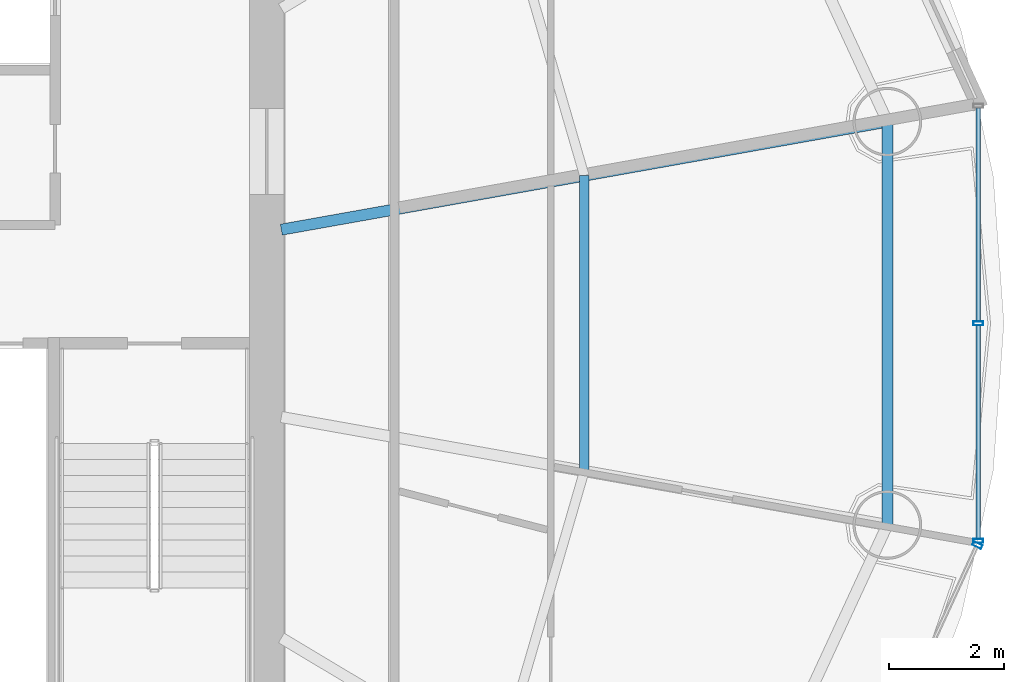
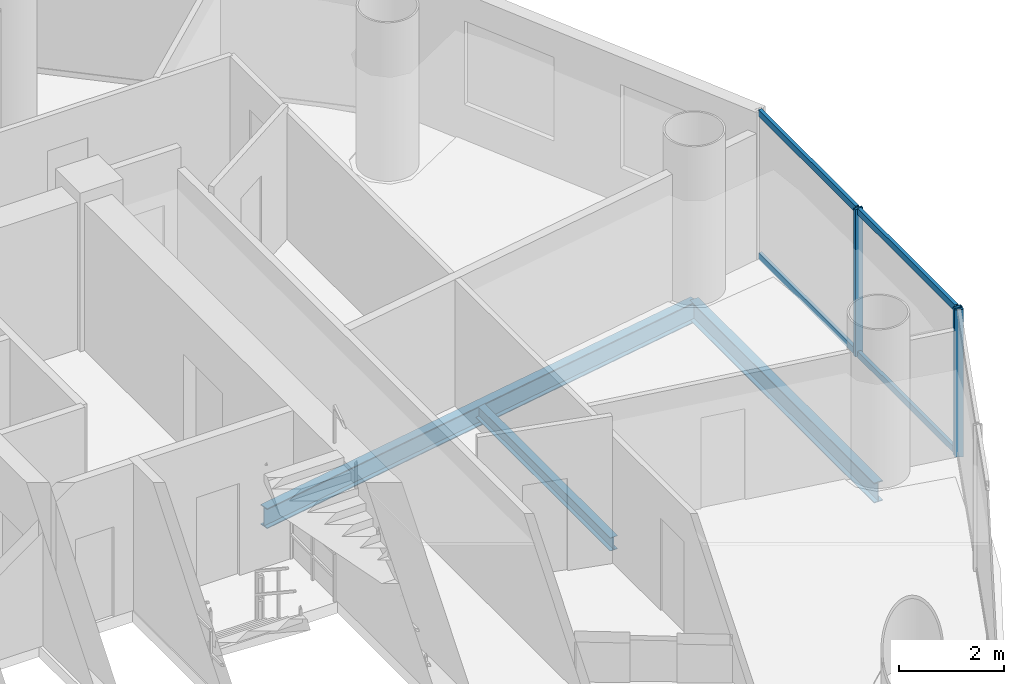
# One storey, part 12 of 27: 7 members, 3 beams, 2 elements without a shape of their own.
"""IFC4 building model written with IfcOpenShell, lengths in metres."""

from ifc_helpers import new_model, si_unit, direction, frame, origin, origin_2d, place, context, subcontext, project, spatial, hollow_rectangle, i_section, extrude, source, transform, mapped, material, material_profile, profile_set, type_object, element, aggregate, save


model = new_model("IFC4")

# Units and contexts
model_context = context("Model", 3, precision=1e-05, world=origin(), true_north=direction((-0.2419218956, 0.970295726276)))
body_context = subcontext(model_context, "Body", "Model", "MODEL_VIEW")
ifc_project = project(units=[si_unit("LENGTHUNIT", "METRE"), si_unit("AREAUNIT", "SQUARE_METRE"), si_unit("VOLUMEUNIT", "CUBIC_METRE"), si_unit("PLANEANGLEUNIT", "RADIAN"), si_unit("MASSUNIT", "GRAM", prefix="KILO")], contexts=[model_context])

# Site, building, storey
site_placement = place(None, origin())
site = spatial("IfcSite", under=ifc_project, at=site_placement, CompositionType="ELEMENT")
building_placement = place(site_placement, origin())
building = spatial("IfcBuilding", under=site, at=building_placement, Name="Cobrevalo Terracotta Tower", CompositionType="ELEMENT")
storey_placement = place(building_placement, frame((0.0, 0.0, 198.60009765625)))
storey = spatial("IfcBuildingStorey", under=building, at=storey_placement, Name="L52", CompositionType="ELEMENT", Elevation=198.60009765625)

# Beams
ifc_material_1 = material(Name="Steel S355", Category="steel")
ifc_material_profile_1 = material_profile(ifc_material_1, i_section(OverallWidth=0.194091796875, OverallDepth=0.468994140625, WebThickness=0.011474609375, FlangeThickness=0.0205078125, at=origin_2d()), Name="W 460x106")
ifc_profile_set_1 = profile_set([ifc_material_profile_1], Name="Steel S355")
beam_type_1 = type_object("IfcBeamType", Name="Structural Beam W 460x106 (Steel S355)", PredefinedType="BEAM", material=ifc_profile_set_1)
beam_1_placement = place(storey_placement, frame((57.762939453125, 30.3212890625, -0.49951171875), z_axis=(-0.98449712063, -0.175400739656, 0.0), x_axis=(0.175400739656, -0.98449712063, 0.0)))
element("IfcBeam", 1, at=beam_1_placement, inside=storey, type_object=beam_type_1, Name="L52 radial floor girder 01", PredefinedType="BEAM", context=body_context, shape_type="SweptSolid", body=[
    extrude(i_section(OverallWidth=0.194091796875, OverallDepth=0.468994140625, WebThickness=0.011474609375, FlangeThickness=0.0205078125, at=origin_2d()), origin(), (0.0, 0.0, 1.0), 10.749755859375),
])
ifc_material_profile_2 = material_profile(ifc_material_1, i_section(OverallWidth=0.1650390625, OverallDepth=0.31005859375, WebThickness=0.005859375, FlangeThickness=0.009765625, at=origin_2d()), Name="W 310x38.7")
ifc_profile_set_2 = profile_set([ifc_material_profile_2], Name="Steel S355")
beam_type_2 = type_object("IfcBeamType", Name="Structural Joist W 310x38.7 (Steel S355)", PredefinedType="JOIST", material=ifc_profile_set_2)
beam_2_placement = place(storey_placement, frame((52.471435546875, 24.221435546875, -0.420166015625), z_axis=(0.0, 1.0, 0.0), x_axis=(-1.0, 0.0, 0.0)))
element("IfcBeam", 2, at=beam_2_placement, inside=storey, type_object=beam_type_2, Name="L52 circumferential secondary floor joist 16", PredefinedType="JOIST", context=body_context, shape_type="SweptSolid", body=[
    extrude(i_section(OverallWidth=0.1650390625, OverallDepth=0.31005859375, WebThickness=0.005859375, FlangeThickness=0.009765625, at=origin_2d()), origin(), (0.0, 0.0, 1.0), 5.1572265625),
])
ifc_material_profile_3 = material_profile(ifc_material_1, i_section(OverallWidth=0.194091796875, OverallDepth=0.468994140625, WebThickness=0.011474609375, FlangeThickness=0.0205078125, at=origin_2d()), Name="W 460x106")
ifc_profile_set_3 = profile_set([ifc_material_profile_3], Name="Steel S355")
beam_type_3 = type_object("IfcBeamType", Name="Structural Spandrel W 460x106 (Steel S355)", PredefinedType="SPANDREL", material=ifc_profile_set_3)
beam_3_placement = place(storey_placement, frame((57.762939453125, 23.278564453125, -0.49951171875), z_axis=(0.0, 1.0, 0.0), x_axis=(-1.0, 0.0, 0.0)))
element("IfcBeam", 3, at=beam_3_placement, inside=storey, type_object=beam_type_3, Name="L52 perimeter ring spandrel 16", PredefinedType="SPANDREL", context=body_context, shape_type="SweptSolid", body=[
    extrude(i_section(OverallWidth=0.194091796875, OverallDepth=0.468994140625, WebThickness=0.011474609375, FlangeThickness=0.0205078125, at=origin_2d()), origin(), (0.0, 0.0, 1.0), 7.042724609375),
])

# Curtain wall, members
ifc_material_2 = material(Name="Anodized aluminium", Category="aluminium")
curtain_wall_type = type_object("IfcCurtainWallType", Name="Mid-tower high-wind unitised curtain wall CW-U2", PredefinedType="NOTDEFINED", material=ifc_material_2)
curtain_wall_1_placement = place(storey_placement, origin())
curtain_wall_1 = element("IfcCurtainWall", 4, at=curtain_wall_1_placement, inside=storey, type_object=curtain_wall_type, Name="L52 curtain wall CW-L52-S16", PredefinedType="NOTDEFINED")
ifc_material_profile_4 = material_profile(ifc_material_2, hollow_rectangle(XDim=0.074951171875, YDim=0.14990234375, WallThickness=0.00439453125, at=origin_2d()), Name="CWT 75x150")
ifc_profile_set_4 = profile_set([ifc_material_profile_4], Name="Anodized aluminium")
member_type_1 = type_object("IfcMemberType", Name="Tower unitised aluminium transom 75x150", PredefinedType="USERDEFINED", material=ifc_profile_set_4)
shared_shape_1 = source(origin(), body_context, "Body", "SweptSolid", [
    extrude(hollow_rectangle(XDim=0.074951171875, YDim=0.14990234375, WallThickness=0.00439453125, at=origin_2d()), origin(), (0.0, 0.0, 1.0), 3.71728515625),
])
member_1_placement = place(storey_placement, frame((59.351806640625, 26.840087890625, 0.0498046875), z_axis=(0.0, 1.0, 0.0), x_axis=(-1.0, 0.0, 0.0)))
member_1 = element("IfcMember", 5, at=member_1_placement, type_object=member_type_1, Name="CW-L52-S16 transom B02-T1", ObjectType="TRANSOM", PredefinedType="USERDEFINED", context=body_context, shape_type="MappedRepresentation", body=[
    mapped(shared_shape_1, transform((0.0, 0.0, 0.0), scale=1.0)),
])
member_2_placement = place(storey_placement, frame((59.351806640625, 26.840087890625, 3.385009765625), z_axis=(0.0, 1.0, 0.0), x_axis=(-1.0, 0.0, 0.0)))
member_2 = element("IfcMember", 6, at=member_2_placement, type_object=member_type_1, Name="CW-L52-S16 transom B02-T2", ObjectType="TRANSOM", PredefinedType="USERDEFINED", context=body_context, shape_type="MappedRepresentation", body=[
    mapped(shared_shape_1, transform((0.0, 0.0, 0.0), scale=1.0)),
])
shared_shape_2 = source(origin(), body_context, "Body", "SweptSolid", [
    extrude(hollow_rectangle(XDim=0.074951171875, YDim=0.14990234375, WallThickness=0.00439453125, at=origin_2d()), origin(), (0.0, 0.0, 1.0), 3.717529296875),
])
member_3_placement = place(storey_placement, frame((59.351806640625, 23.04248046875, 0.0498046875), z_axis=(0.0, 1.0, 0.0), x_axis=(-1.0, 0.0, 0.0)))
member_3 = element("IfcMember", 7, at=member_3_placement, type_object=member_type_1, Name="CW-L52-S16 transom B01-T1", ObjectType="TRANSOM", PredefinedType="USERDEFINED", context=body_context, shape_type="MappedRepresentation", body=[
    mapped(shared_shape_2, transform((0.0, 0.0, 0.0), scale=1.0)),
])
member_4_placement = place(storey_placement, frame((59.351806640625, 23.04248046875, 3.385009765625), z_axis=(0.0, 1.0, 0.0), x_axis=(-1.0, 0.0, 0.0)))
member_4 = element("IfcMember", 8, at=member_4_placement, type_object=member_type_1, Name="CW-L52-S16 transom B01-T2", ObjectType="TRANSOM", PredefinedType="USERDEFINED", context=body_context, shape_type="MappedRepresentation", body=[
    mapped(shared_shape_2, transform((0.0, 0.0, 0.0), scale=1.0)),
])

# Curtain wall, member
curtain_wall_2_placement = place(storey_placement, origin())
curtain_wall_2 = element("IfcCurtainWall", 9, at=curtain_wall_2_placement, inside=storey, type_object=curtain_wall_type, Name="L52 curtain wall CW-L52-S15", PredefinedType="NOTDEFINED")
ifc_material_profile_5 = material_profile(ifc_material_2, hollow_rectangle(XDim=0.070068359375, YDim=0.169921875, WallThickness=0.00439453125, at=origin_2d()), Name="CWM 70x170")
ifc_profile_set_5 = profile_set([ifc_material_profile_5], Name="Anodized aluminium")
member_type_2 = type_object("IfcMemberType", Name="Upper tower unitised mullion 70x170", PredefinedType="MULLION", material=ifc_profile_set_5)
shared_shape_3 = source(origin(), body_context, "Body", "SweptSolid", [
    extrude(hollow_rectangle(XDim=0.070068359375, YDim=0.169921875, WallThickness=0.00439453125, at=origin_2d()), origin(), (0.0, 0.0, 1.0), 3.434814453125),
])
member_5_placement = place(storey_placement, frame((59.3349609375, 22.92626953125, 0.0), z_axis=(0.0, 0.0, 1.0), x_axis=(0.41672507912, 0.909032567311, 0.0)))
member_5 = element("IfcMember", 10, at=member_5_placement, type_object=member_type_2, Name="CW-L52-S15 vertical mullion 03", PredefinedType="MULLION", context=body_context, shape_type="MappedRepresentation", body=[
    mapped(shared_shape_3, transform((0.0, 0.0, 0.0), scale=1.0)),
])
aggregate(curtain_wall_2, [member_5])

# Member
member_6_placement = place(storey_placement, frame((59.351806640625, 23.002685546875, 0.0), z_axis=(0.0, 0.0, 1.0), x_axis=(0.0, 1.0, 0.0)))
member_6 = element("IfcMember", 11, at=member_6_placement, type_object=member_type_2, Name="CW-L52-S16 vertical mullion 01", PredefinedType="MULLION", context=body_context, shape_type="MappedRepresentation", body=[
    mapped(shared_shape_3, transform((0.0, 0.0, 0.0), scale=1.0)),
])

member_7_placement = place(storey_placement, frame((59.351806640625, 26.800048828125, 0.0), z_axis=(0.0, 0.0, 1.0), x_axis=(0.0, 1.0, 0.0)))
member_7 = element("IfcMember", 12, at=member_7_placement, type_object=member_type_2, Name="CW-L52-S16 vertical mullion 02", PredefinedType="MULLION", context=body_context, shape_type="MappedRepresentation", body=[
    mapped(shared_shape_3, transform((0.0, 0.0, 0.0), scale=1.0)),
])

aggregate(curtain_wall_1, [member_6, member_7, member_3, member_4, member_1, member_2])

save(model, "model.ifc")
